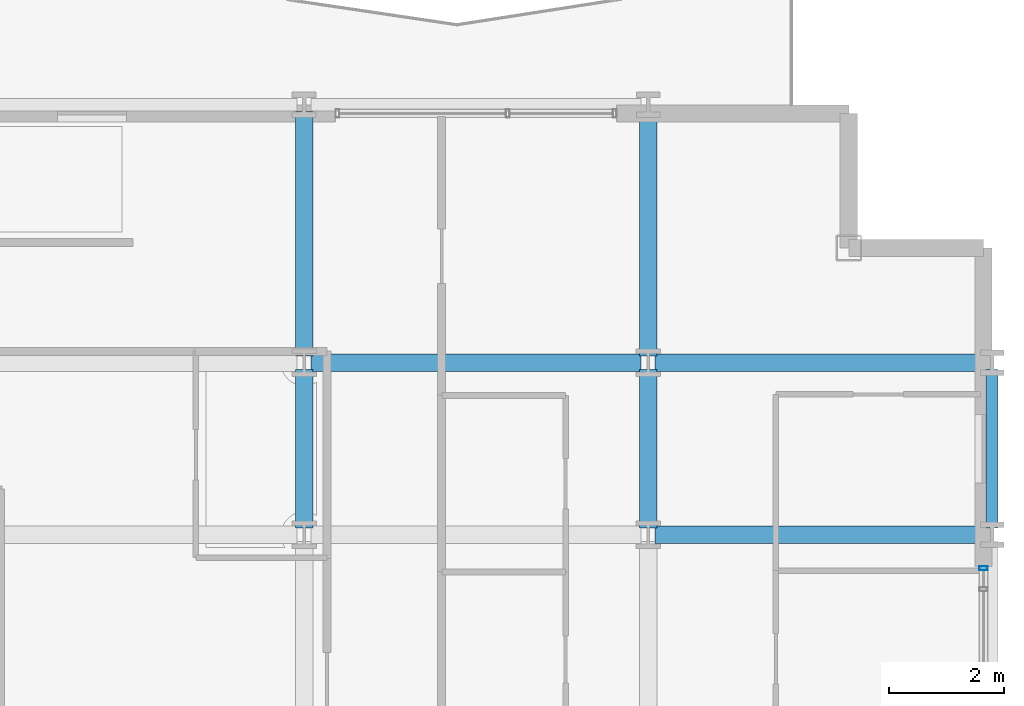
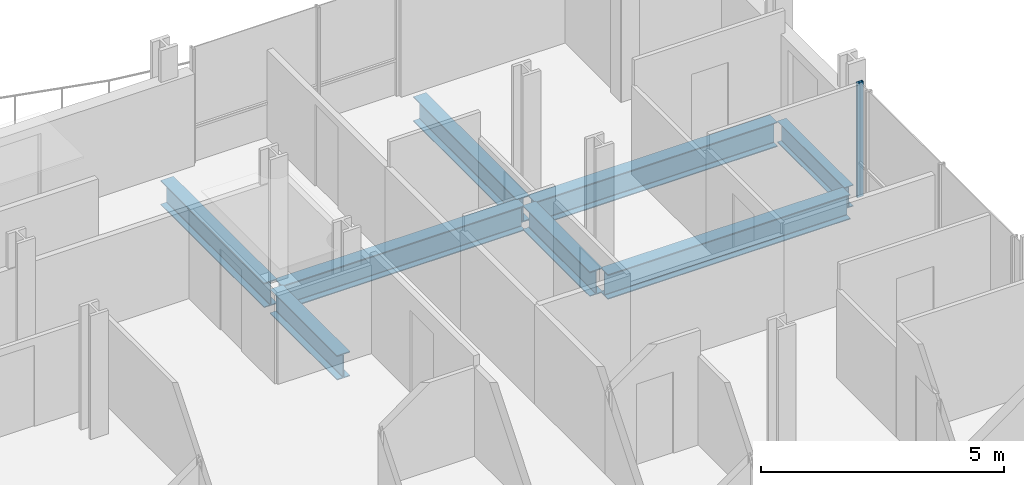
# One storey, part 20 of 41: 8 beams, 1 member, 1 element without a shape of its own.
"""IFC4 building model written with IfcOpenShell, lengths in metres."""

from ifc_helpers import new_model, si_unit, direction, frame, origin, origin_2d, place, context, subcontext, project, spatial, hollow_rectangle, i_section, extrude, material, layer, layer_set, material_profile, profile_set, type_object, element, aggregate, save


model = new_model("IFC4")

# Units and contexts
model_context = context("Model", 3, precision=1e-05, world=origin(), true_north=direction((0.0, 1.0)))
body_context = subcontext(model_context, "Body", "Model", "MODEL_VIEW")
ifc_project = project(units=[si_unit("LENGTHUNIT", "METRE"), si_unit("AREAUNIT", "SQUARE_METRE"), si_unit("VOLUMEUNIT", "CUBIC_METRE"), si_unit("PLANEANGLEUNIT", "RADIAN"), si_unit("MASSUNIT", "GRAM", prefix="KILO")], contexts=[model_context])

# Site, building, storey
site_placement = place(None, origin())
site = spatial("IfcSite", under=ifc_project, at=site_placement, CompositionType="ELEMENT")
building_placement = place(site_placement, origin())
building = spatial("IfcBuilding", under=site, at=building_placement, Name="Brevholm Reach", CompositionType="ELEMENT")
storey_placement = place(building_placement, frame((0.0, 0.0, 43.5)))
storey = spatial("IfcBuildingStorey", under=building, at=storey_placement, Name="L11", CompositionType="ELEMENT", Elevation=43.5)

# Beams
ifc_material_1 = material(Name="Structural Steel S355J2", Category="steel")
ifc_material_profile_1 = material_profile(ifc_material_1, i_section(OverallWidth=0.210693359375, OverallDepth=0.53955078125, WebThickness=0.01171875, FlangeThickness=0.018798828125, FilletRadius=0.0126953125, at=origin_2d()), Name="UKB 533x210x109")
ifc_profile_set_1 = profile_set([ifc_material_profile_1], Name="Structural Steel S355J2")
beam_type_1 = type_object("IfcBeamType", Name="BM-SP539", PredefinedType="SPANDREL", material=ifc_profile_set_1)
beam_1_placement = place(storey_placement, frame((60.0, 23.6201171875, -0.499755859375), z_axis=(0.0, 1.0, 0.0), x_axis=(-1.0, 0.0, 0.0)))
element("IfcBeam", 1, at=beam_1_placement, inside=storey, type_object=beam_type_1, Name="L11 SP-01B Framing Beam", PredefinedType="SPANDREL", context=body_context, shape_type="SweptSolid", body=[
    extrude(i_section(OverallWidth=0.210693359375, OverallDepth=0.53955078125, WebThickness=0.01171875, FlangeThickness=0.018798828125, FilletRadius=0.0126953125, at=origin_2d()), origin(), (0.0, 0.0, 1.0), 2.759765625),
])
ifc_material_2 = material(Name="Structural Steel S355J2", Category="steel")
ifc_material_profile_2 = material_profile(ifc_material_2, i_section(OverallWidth=0.30712890625, OverallDepth=0.6201171875, WebThickness=0.01416015625, FlangeThickness=0.023681640625, FilletRadius=0.0166015625, at=origin_2d()), Name="UKB 610x305x179")
ifc_profile_set_2 = profile_set([ifc_material_profile_2], Name="Structural Steel S355J2")
beam_type_2 = type_object("IfcBeamType", Name="BM-UKB610H", PredefinedType="USERDEFINED", material=ifc_profile_set_2)
for number, where, z_axis, x_axis, name in (
    (2, (54.1201171875, 23.5, -0.5400390625), (1.0, 0.0, 0.0), (0.0, 1.0, 0.0), "L11 G-06 Framing Beam"),
    (3, (48.1201171875, 26.5, -0.5400390625), (1.0, 0.0, 0.0), (0.0, 1.0, 0.0), "L11 G-06 Framing Beam"),
    (4, (54.1201171875, 26.5, -0.5400390625), (1.0, 0.0, 0.0), (0.0, 1.0, 0.0), "L11 G-06 Framing Beam"),
):
    element("IfcBeam", number, at=place(storey_placement, frame(where, z_axis=z_axis, x_axis=x_axis)), inside=storey, type_object=beam_type_2, Name=name, ObjectType="GIRDER", PredefinedType="USERDEFINED", context=body_context, shape_type="SweptSolid", body=[
        extrude(i_section(OverallWidth=0.30712890625, OverallDepth=0.6201171875, WebThickness=0.01416015625, FlangeThickness=0.023681640625, FilletRadius=0.0166015625, at=origin_2d()), origin(), (0.0, 0.0, 1.0), 5.759765625),
    ])
beam_2_placement = place(storey_placement, frame((48.0, 23.6201171875, -0.5400390625), z_axis=(0.0, 1.0, 0.0), x_axis=(-1.0, 0.0, 0.0)))
element("IfcBeam", 5, at=beam_2_placement, inside=storey, type_object=beam_type_2, Name="L11 G-06 Framing Beam", ObjectType="GIRDER", PredefinedType="USERDEFINED", context=body_context, shape_type="SweptSolid", body=[
    extrude(i_section(OverallWidth=0.30712890625, OverallDepth=0.6201171875, WebThickness=0.01416015625, FlangeThickness=0.023681640625, FilletRadius=0.0166015625, at=origin_2d()), origin(), (0.0, 0.0, 1.0), 2.759765625),
])
beam_3_placement = place(storey_placement, frame((48.0, 26.6201171875, -0.5400390625), z_axis=(0.0, 1.0, 0.0), x_axis=(-1.0, 0.0, 0.0)))
element("IfcBeam", 6, at=beam_3_placement, inside=storey, type_object=beam_type_2, Name="L11 G-06 Framing Beam", ObjectType="GIRDER", PredefinedType="USERDEFINED", context=body_context, shape_type="SweptSolid", body=[
    extrude(i_section(OverallWidth=0.30712890625, OverallDepth=0.6201171875, WebThickness=0.01416015625, FlangeThickness=0.023681640625, FilletRadius=0.0166015625, at=origin_2d()), origin(), (0.0, 0.0, 1.0), 4.259765625),
])
beam_4_placement = place(storey_placement, frame((54.0, 23.6201171875, -0.5400390625), z_axis=(0.0, 1.0, 0.0), x_axis=(-1.0, 0.0, 0.0)))
element("IfcBeam", 7, at=beam_4_placement, inside=storey, type_object=beam_type_2, Name="L11 G-06 Framing Beam", ObjectType="GIRDER", PredefinedType="USERDEFINED", context=body_context, shape_type="SweptSolid", body=[
    extrude(i_section(OverallWidth=0.30712890625, OverallDepth=0.6201171875, WebThickness=0.01416015625, FlangeThickness=0.023681640625, FilletRadius=0.0166015625, at=origin_2d()), origin(), (0.0, 0.0, 1.0), 2.759765625),
])
beam_5_placement = place(storey_placement, frame((54.0, 26.6201171875, -0.5400390625), z_axis=(0.0, 1.0, 0.0), x_axis=(-1.0, 0.0, 0.0)))
element("IfcBeam", 8, at=beam_5_placement, inside=storey, type_object=beam_type_2, Name="L11 G-06 Framing Beam", ObjectType="GIRDER", PredefinedType="USERDEFINED", context=body_context, shape_type="SweptSolid", body=[
    extrude(i_section(OverallWidth=0.30712890625, OverallDepth=0.6201171875, WebThickness=0.01416015625, FlangeThickness=0.023681640625, FilletRadius=0.0166015625, at=origin_2d()), origin(), (0.0, 0.0, 1.0), 4.259765625),
])

# Curtain wall, member
ifc_material_3 = material(Name="Dark Anodised Aluminium 6063-T6 and Solar-Control Glass", Category="aluminium")
ifc_layer = layer(ifc_material_3, 0.14990234375)
ifc_layer_set = layer_set([ifc_layer], Name="Dark Anodised Aluminium 6063-T6 and Solar-Control Glass")
curtain_wall_type = type_object("IfcCurtainWallType", Name="CW-01", PredefinedType="NOTDEFINED", material=ifc_layer_set)
curtain_wall_placement = place(storey_placement, origin())
curtain_wall = element("IfcCurtainWall", 9, at=curtain_wall_placement, inside=storey, type_object=curtain_wall_type, Name="L11 Curtain Wall CW-01", PredefinedType="NOTDEFINED")
ifc_material_4 = material(Name="Dark Anodised Aluminium 6063-T6", Category="aluminium")
ifc_material_profile_3 = material_profile(ifc_material_4, hollow_rectangle(XDim=0.06494140625, YDim=0.14990234375, WallThickness=0.0048828125, InnerFilletRadius=0.0048828125, OuterFilletRadius=0.010009765625, at=origin_2d()), Name="RHS 150x65x5")
ifc_profile_set_3 = profile_set([ifc_material_profile_3], Name="Dark Anodised Aluminium 6063-T6")
member_type = type_object("IfcMemberType", Name="CWM-150", PredefinedType="MULLION", material=ifc_profile_set_3)
member_placement = place(storey_placement, frame((59.85009765625, 22.91748046875, 0.0), z_axis=(0.0, 0.0, 1.0), x_axis=(0.0, 1.0, 0.0)))
member = element("IfcMember", 10, at=member_placement, type_object=member_type, Name="CM-150 Mullion 6", PredefinedType="MULLION", context=body_context, shape_type="SweptSolid", body=[
    extrude(hollow_rectangle(XDim=0.06494140625, YDim=0.14990234375, WallThickness=0.0048828125, InnerFilletRadius=0.0048828125, OuterFilletRadius=0.010009765625, at=origin_2d()), origin(), (0.0, 0.0, 1.0), 2.8701171875),
])
aggregate(curtain_wall, [member])

save(model, "model.ifc")
